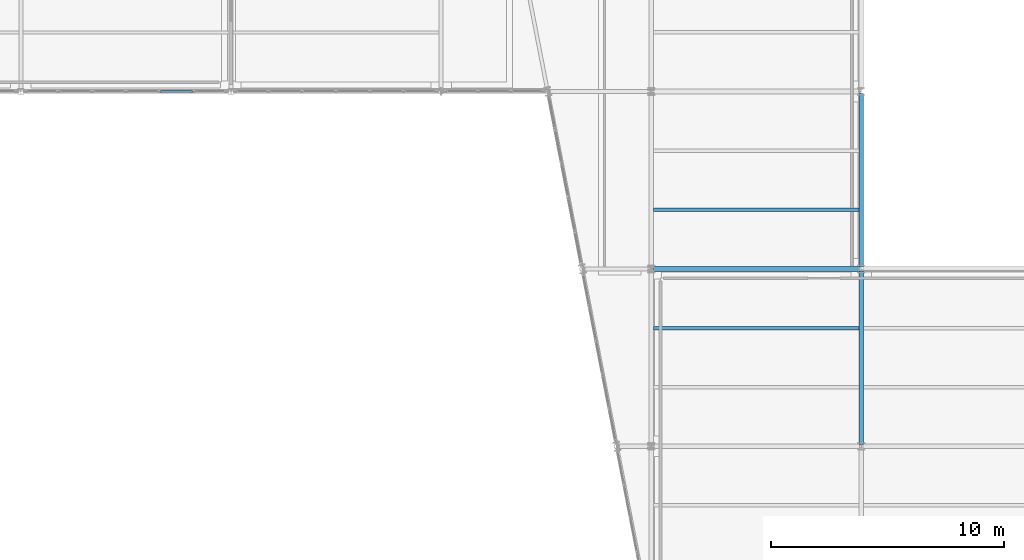
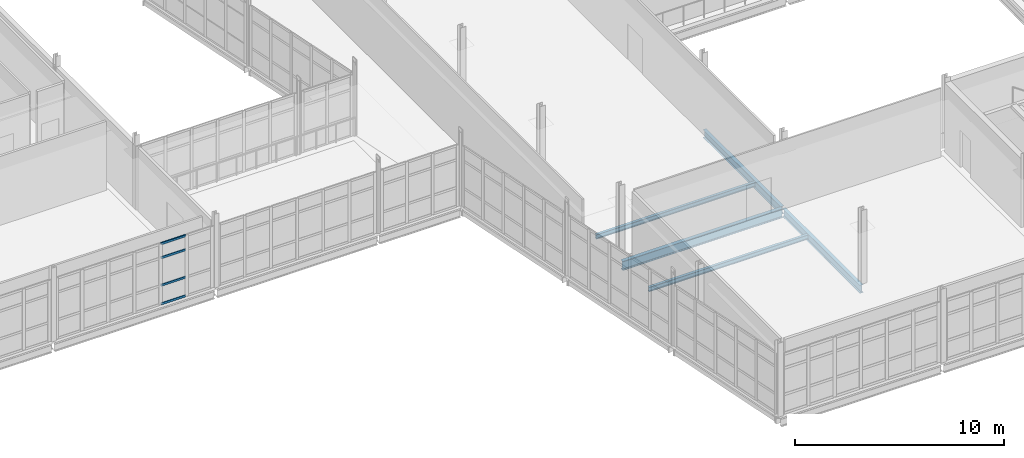
# One storey, part 88 of 166: 5 beams, 4 members, 1 element without a shape of its own.
"""IFC4 building model written with IfcOpenShell, lengths in metres."""

from ifc_helpers import new_model, si_unit, direction, frame, origin, origin_2d, place, context, subcontext, project, spatial, hollow_rectangle, i_section, extrude, material, material_profile, profile_set, type_object, element, aggregate, save


model = new_model("IFC4")

# Units and contexts
model_context = context("Model", 3, precision=1e-05, world=origin(), true_north=direction((0.0, 1.0)))
body_context = subcontext(model_context, "Body", "Model", "MODEL_VIEW")
ifc_project = project(units=[si_unit("LENGTHUNIT", "METRE"), si_unit("AREAUNIT", "SQUARE_METRE"), si_unit("VOLUMEUNIT", "CUBIC_METRE"), si_unit("PLANEANGLEUNIT", "RADIAN"), si_unit("MASSUNIT", "GRAM", prefix="KILO")], contexts=[model_context])

# Site, building, storey
site_placement = place(None, origin())
site = spatial("IfcSite", under=ifc_project, at=site_placement, CompositionType="ELEMENT")
building_placement = place(site_placement, origin())
building = spatial("IfcBuilding", under=site, at=building_placement, Name="Caisbarro Railhouse Central Library", CompositionType="ELEMENT")
storey_placement = place(building_placement, frame((0.0, 0.0, 9.360107421875)))
storey = spatial("IfcBuildingStorey", under=building, at=storey_placement, Name="L02", CompositionType="ELEMENT", Elevation=9.360107421875)

# Beams
ifc_material_1 = material(Name="Steel ASTM A572 Grade 50", Category="steel")
ifc_material_profile_1 = material_profile(ifc_material_1, i_section(OverallWidth=0.208984375, OverallDepth=0.532958984375, WebThickness=0.01025390625, FlangeThickness=0.015625, FilletRadius=0.02001953125, at=origin_2d()), Name="W530X92.0")
ifc_profile_set_1 = profile_set([ifc_material_profile_1], Name="Steel ASTM A572 Grade 50")
beam_type_1 = type_object("IfcBeamType", Name="BM-G06", PredefinedType="BEAM", material=ifc_profile_set_1)
beam_placement = place(storey_placement, frame((117.080078125, 76.0, -0.486572265625), z_axis=(1.0, 0.0, 0.0), x_axis=(0.0, 1.0, 0.0)))
element("IfcBeam", 1, at=beam_placement, inside=storey, type_object=beam_type_1, Name="G06 beam L02 #1484", PredefinedType="BEAM", context=body_context, shape_type="SweptSolid", body=[
    extrude(i_section(OverallWidth=0.208984375, OverallDepth=0.532958984375, WebThickness=0.01025390625, FlangeThickness=0.015625, FilletRadius=0.02001953125, at=origin_2d()), origin(), (0.0, 0.0, 1.0), 8.83984375),
])
ifc_material_profile_2 = material_profile(ifc_material_1, i_section(OverallWidth=0.18994140625, OverallDepth=0.45703125, WebThickness=0.009033203125, FlangeThickness=0.014404296875, FilletRadius=0.01806640625, at=origin_2d()), Name="W460X74.0")
ifc_profile_set_2 = profile_set([ifc_material_profile_2], Name="Steel ASTM A572 Grade 50")
beam_type_2 = type_object("IfcBeamType", Name="BM-G08", PredefinedType="BEAM", material=ifc_profile_set_2)
for number, where, z_axis, x_axis, name in (
    (2, (126.0, 68.47998046875, -0.448486328125), (0.0, 1.0, 0.0), (-1.0, 0.0, 0.0), "G08 beam L02 #1514"),
    (3, (126.0, 76.080078125, -0.448486328125), (0.0, 1.0, 0.0), (-1.0, 0.0, 0.0), "G08 beam L02 #1515"),
):
    element("IfcBeam", number, at=place(storey_placement, frame(where, z_axis=z_axis, x_axis=x_axis)), inside=storey, type_object=beam_type_2, Name=name, PredefinedType="BEAM", context=body_context, shape_type="SweptSolid", body=[
        extrude(i_section(OverallWidth=0.18994140625, OverallDepth=0.45703125, WebThickness=0.009033203125, FlangeThickness=0.014404296875, FilletRadius=0.01806640625, at=origin_2d()), origin(), (0.0, 0.0, 1.0), 7.43994140625),
    ])
ifc_material_profile_3 = material_profile(ifc_material_1, i_section(OverallWidth=0.14794921875, OverallDepth=0.26611328125, WebThickness=0.007568359375, FlangeThickness=0.012939453125, FilletRadius=0.010009765625, at=origin_2d()), Name="W250X44.8")
ifc_profile_set_3 = profile_set([ifc_material_profile_3], Name="Steel ASTM A572 Grade 50")
beam_type_3 = type_object("IfcBeamType", Name="BM-J04", PredefinedType="JOIST", material=ifc_profile_set_3)
for number, where, z_axis, x_axis, name in (
    (4, (117.10009765625, 73.466796875, -0.35302734375), (1.0, 0.0, 0.0), (0.0, 1.0, 0.0), "J04 beam L02 #1542"),
    (5, (117.10009765625, 78.533203125, -0.35302734375), (1.0, 0.0, 0.0), (0.0, 1.0, 0.0), "J04 beam L02 #1543"),
):
    element("IfcBeam", number, at=place(storey_placement, frame(where, z_axis=z_axis, x_axis=x_axis)), inside=storey, type_object=beam_type_3, Name=name, PredefinedType="JOIST", context=body_context, shape_type="SweptSolid", body=[
        extrude(i_section(OverallWidth=0.14794921875, OverallDepth=0.26611328125, WebThickness=0.007568359375, FlangeThickness=0.012939453125, FilletRadius=0.010009765625, at=origin_2d()), origin(), (0.0, 0.0, 1.0), 8.804931640625),
    ])

# Curtain wall, members
ifc_material_2 = material(Name="Anodised architectural aluminium", Category="aluminium")
curtain_wall_type = type_object("IfcCurtainWallType", Name="CW-CW02", PredefinedType="NOTDEFINED", material=ifc_material_2)
curtain_wall_placement = place(storey_placement, origin())
curtain_wall = element("IfcCurtainWall", 6, at=curtain_wall_placement, inside=storey, type_object=curtain_wall_type, Name="CW02 curtain wall L02 #185", PredefinedType="NOTDEFINED")
ifc_material_profile_4 = material_profile(ifc_material_2, hollow_rectangle(XDim=0.06494140625, YDim=0.1201171875, WallThickness=0.00341796875, at=origin_2d()), Name="ALU-TRN-65X120")
ifc_profile_set_4 = profile_set([ifc_material_profile_4], Name="Anodised architectural aluminium")
member_type = type_object("IfcMemberType", Name="CWT-T02", PredefinedType="USERDEFINED", material=ifc_profile_set_4)
member_1_placement = place(storey_placement, frame((95.984130859375, 83.60009765625, 0.032470703125), z_axis=(1.0, 0.0, 0.0), x_axis=(0.0, 1.0, 0.0)))
member_1 = element("IfcMember", 7, at=member_1_placement, type_object=member_type, Name="CW02 transom 5.1", ObjectType="TRANSOM", PredefinedType="USERDEFINED", context=body_context, shape_type="SweptSolid", body=[
    extrude(hollow_rectangle(XDim=0.06494140625, YDim=0.1201171875, WallThickness=0.00341796875, at=origin_2d()), origin(), (0.0, 0.0, 1.0), 1.37158203125),
])
member_2_placement = place(storey_placement, frame((95.984130859375, 83.60009765625, 1.119873046875), z_axis=(1.0, 0.0, 0.0), x_axis=(0.0, 1.0, 0.0)))
member_2 = element("IfcMember", 8, at=member_2_placement, type_object=member_type, Name="CW02 transom 5.2", ObjectType="TRANSOM", PredefinedType="USERDEFINED", context=body_context, shape_type="SweptSolid", body=[
    extrude(hollow_rectangle(XDim=0.06494140625, YDim=0.1201171875, WallThickness=0.00341796875, at=origin_2d()), origin(), (0.0, 0.0, 1.0), 1.37158203125),
])
member_3_placement = place(storey_placement, frame((95.984130859375, 83.60009765625, 2.72998046875), z_axis=(1.0, 0.0, 0.0), x_axis=(0.0, 1.0, 0.0)))
member_3 = element("IfcMember", 9, at=member_3_placement, type_object=member_type, Name="CW02 transom 5.3", ObjectType="TRANSOM", PredefinedType="USERDEFINED", context=body_context, shape_type="SweptSolid", body=[
    extrude(hollow_rectangle(XDim=0.06494140625, YDim=0.1201171875, WallThickness=0.00341796875, at=origin_2d()), origin(), (0.0, 0.0, 1.0), 1.37158203125),
])
member_4_placement = place(storey_placement, frame((95.984130859375, 83.60009765625, 3.54736328125), z_axis=(1.0, 0.0, 0.0), x_axis=(0.0, 1.0, 0.0)))
member_4 = element("IfcMember", 10, at=member_4_placement, type_object=member_type, Name="CW02 transom 5.4", ObjectType="TRANSOM", PredefinedType="USERDEFINED", context=body_context, shape_type="SweptSolid", body=[
    extrude(hollow_rectangle(XDim=0.06494140625, YDim=0.1201171875, WallThickness=0.00341796875, at=origin_2d()), origin(), (0.0, 0.0, 1.0), 1.37158203125),
])
aggregate(curtain_wall, [member_1, member_2, member_3, member_4])

save(model, "model.ifc")
